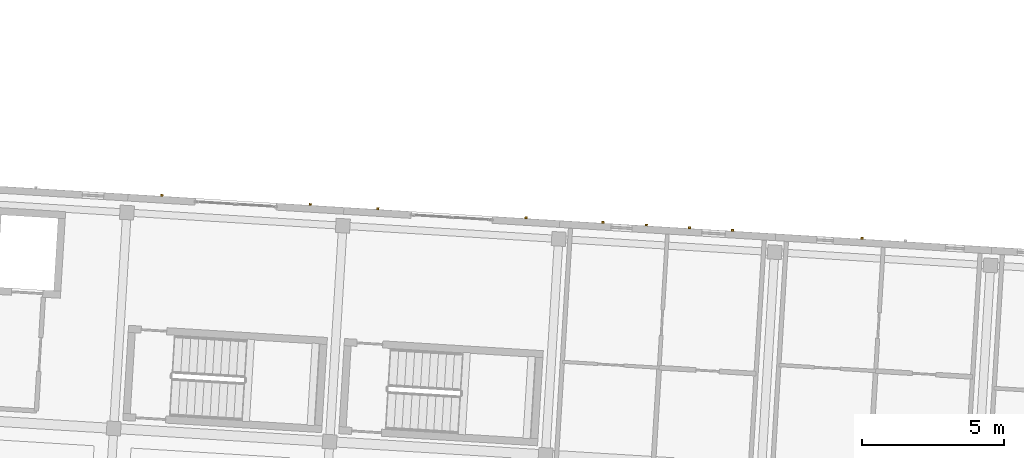
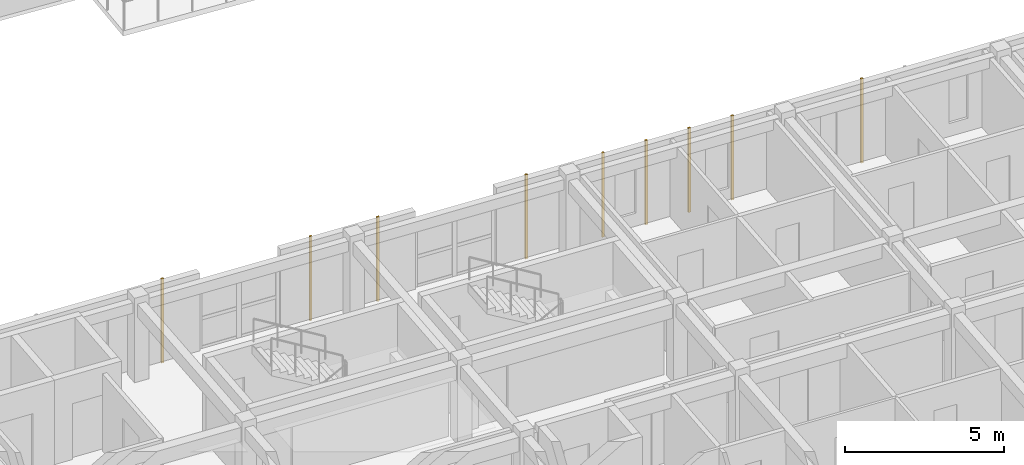
# One storey, part 112 of 127: 9 coverings.
"""IFC4 building model written with IfcOpenShell, lengths in metres."""

from ifc_helpers import new_model, si_unit, direction, frame, origin, origin_2d, place, context, subcontext, project, spatial, rectangle, extrude, material, layer, layer_set, type_object, element, save


model = new_model("IFC4")

# Units and contexts
model_context = context("Model", 3, precision=1e-05, world=origin(), true_north=direction((0.0, 1.0)))
body_context = subcontext(model_context, "Body", "Model", "MODEL_VIEW")
ifc_project = project(units=[si_unit("LENGTHUNIT", "METRE"), si_unit("AREAUNIT", "SQUARE_METRE"), si_unit("VOLUMEUNIT", "CUBIC_METRE"), si_unit("PLANEANGLEUNIT", "RADIAN"), si_unit("MASSUNIT", "GRAM", prefix="KILO")], contexts=[model_context])

# Site, building, storey
site_placement = place(None, origin())
site = spatial("IfcSite", under=ifc_project, at=site_placement, CompositionType="ELEMENT")
building_placement = place(site_placement, origin())
building = spatial("IfcBuilding", under=site, at=building_placement, Name="Kestramere Prow Commons", CompositionType="ELEMENT")
storey_placement = place(building_placement, frame((0.0, 0.0, 8.39990234375)))
storey = spatial("IfcBuildingStorey", under=building, at=storey_placement, Name="L02", CompositionType="ELEMENT", Elevation=8.39990234375)

# Coverings
ifc_material = material(Name="Weathered Zinc-Titanium Standing-Seam Cladding")
ifc_layer = layer(ifc_material, 0.074951171875)
ifc_layer_set = layer_set([ifc_layer], Name="Weathered Zinc-Titanium Standing-Seam Cladding")
covering_type = type_object("IfcCoveringType", Name="COV-CLAD-SEAM", PredefinedType="CLADDING", material=ifc_layer_set)
for number, where, z_axis, x_axis, name in (
    (1, (69.509033203125, 66.203125, -0.25), (0.0, 0.0, 1.0), (0.998134798422, -0.061048539535, 0.0), "EW-C-L02-NP-1-L Standing-Seam Rib 1"),
    (2, (74.724365234375, 65.88427734375, -0.25), (0.0, 0.0, 1.0), (0.998134798422, -0.061048539535, 0.0), "EW-C-L02-NP-1-R Standing-Seam Rib 1"),
    (3, (77.094970703125, 65.7392578125, -0.25), (0.0, 0.0, 1.0), (0.998134798422, -0.061048539535, 0.0), "EW-C-L02-NP-2-L Standing-Seam Rib 1"),
    (4, (82.31005859375, 65.420166015625, -0.25), (0.0, 0.0, 1.0), (0.998134798422, -0.061048539535, 0.0), "EW-C-L02-NP-2-R Standing-Seam Rib 1"),
    (5, (85.012451171875, 65.2548828125, -0.25), (0.0, 0.0, 1.0), (0.998134798422, -0.061048539535, 0.0), "EW-C-L02-N-3 Standing-Seam Rib 1"),
    (6, (86.52978515625, 65.162109375, -0.25), (0.0, 0.0, 1.0), (0.998134798422, -0.061048539535, 0.0), "EW-C-L02-N-3 Standing-Seam Rib 2"),
    (7, (88.046875, 65.0693359375, -0.25), (0.0, 0.0, 1.0), (0.998134798422, -0.061048539535, 0.0), "EW-C-L02-N-3 Standing-Seam Rib 3"),
    (8, (89.56396484375, 64.9765625, -0.25), (0.0, 0.0, 1.0), (0.998134798422, -0.061048539535, 0.0), "EW-C-L02-N-3 Standing-Seam Rib 4"),
    (9, (94.115478515625, 64.6982421875, -0.25), (0.0, 0.0, 1.0), (0.998134798422, -0.061048539535, 0.0), "EW-C-L02-N-4 Standing-Seam Rib 2"),
):
    element("IfcCovering", number, at=place(storey_placement, frame(where, z_axis=z_axis, x_axis=x_axis)), inside=storey, type_object=covering_type, Name=name, PredefinedType="CLADDING", context=body_context, shape_type="SweptSolid", body=[
        extrude(rectangle(XDim=0.0849609375, YDim=0.06494140625, at=origin_2d()), origin(), (0.0, 0.0, 1.0), 3.25),
    ])

save(model, "model.ifc")
